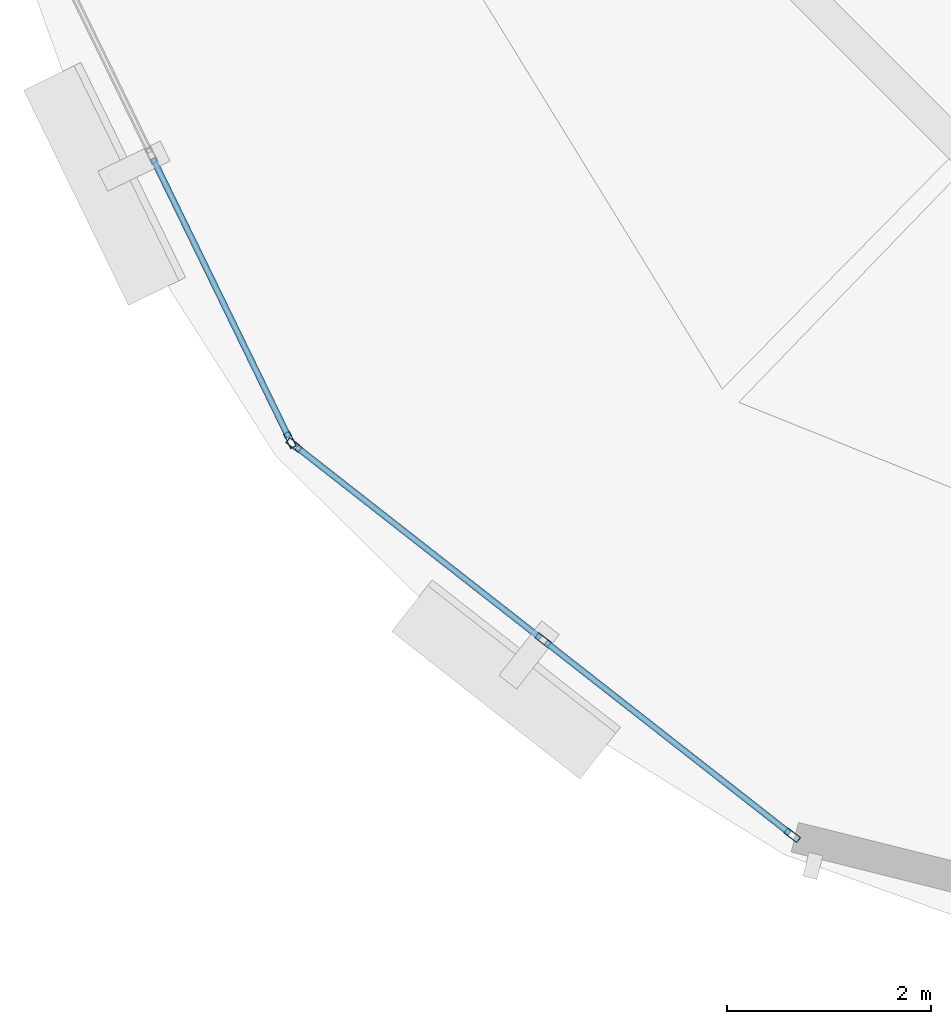
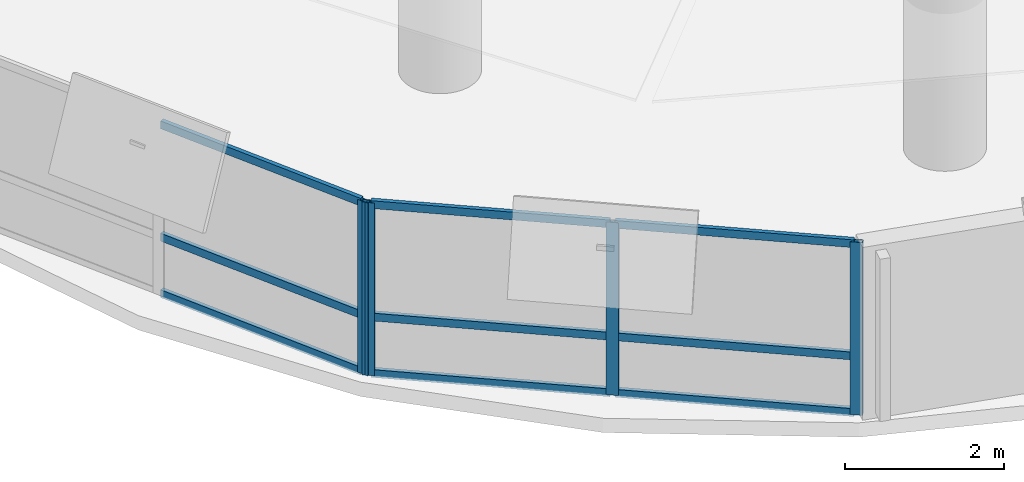
# One storey, part 2 of 12: 13 members, 2 elements without a shape of their own.
"""IFC4 building model written with IfcOpenShell, lengths in metres."""

import ifcopenshell
import ifcopenshell.guid

model = None  # the IFC model being written
_history = None  # IfcOwnerHistory: only IFC2X3 demands one
_inside = {}  # id of a spatial element -> (the spatial element, [elements in it])
_under = {}  # id of a project, library or spatial element -> (it, [spatial elements below it])
_declared = {}  # id of a project -> (the project, [libraries it declares])
_typed = {}  # id of a type object -> (the type object, [elements of that type])
_made_of = {}  # id of a material, layer set ... -> (it, [elements and type objects made of it])


def new_model(schema):
    """Start an empty IFC model of exactly this schema.

    Asked for "IFC4X3", IfcOpenShell would pick the latest addendum, in which some entities
    have other attributes; the version numbers below select the first issue.
    IFC2X3 requires an IfcOwnerHistory on every rooted entity: one is made here for all.
    """
    global model, _history
    if schema == "IFC4X3":
        model = ifcopenshell.file(schema_version=(4, 3, 0, 0))
    else:
        model = ifcopenshell.file(schema=schema)
    _inside.clear()
    _under.clear()
    _declared.clear()
    _typed.clear()
    _made_of.clear()
    _history = None
    if model.schema == "IFC2X3":
        org = make("IfcOrganization", Name="unknown")
        user = make(
            "IfcPersonAndOrganization",
            ThePerson=make("IfcPerson", FamilyName="unknown"),
            TheOrganization=org,
        )
        app = make(
            "IfcApplication",
            ApplicationDeveloper=org,
            Version="unknown",
            ApplicationFullName="unknown",
            ApplicationIdentifier="unknown",
        )
        _history = make(
            "IfcOwnerHistory",
            OwningUser=user,
            OwningApplication=app,
            ChangeAction="ADDED",
            CreationDate=0,
        )
    return model


def make(cls, **values):
    """One entity of the class cls with the attributes given. An attribute that is None is left unset."""
    return model.create_entity(
        cls, **{name: value for name, value in values.items() if value is not None}
    )


def rooted(cls, **values):
    """An entity with a GlobalId (a new one), such as an element, a storey or a relation."""
    return make(cls, GlobalId=ifcopenshell.guid.new(), OwnerHistory=_history, **values)


def si_unit(unit_type, name, prefix=None):
    """IfcSIUnit, for example si_unit("LENGTHUNIT", "METRE", prefix="MILLI")."""
    return make("IfcSIUnit", UnitType=unit_type, Prefix=prefix, Name=name)


def assignment(units):
    """IfcUnitAssignment: the units of a project."""
    return None if units is None else make("IfcUnitAssignment", Units=units)


def point(xyz):
    """IfcCartesianPoint."""
    return None if xyz is None else make("IfcCartesianPoint", Coordinates=xyz)


def direction(xyz):
    """IfcDirection."""
    return None if xyz is None else make("IfcDirection", DirectionRatios=xyz)


def frame(location, z_axis=None, x_axis=None):
    """IfcAxis2Placement3D, a coordinate frame: its origin and axes. An axis left out is left unset."""
    return make(
        "IfcAxis2Placement3D",
        Location=point(location),
        Axis=direction(z_axis),
        RefDirection=direction(x_axis),
    )


def frame_2d(location, x_axis=None):
    """IfcAxis2Placement2D, a coordinate frame in the plane: its origin and x axis."""
    return make(
        "IfcAxis2Placement2D", Location=point(location), RefDirection=direction(x_axis)
    )


def origin():
    """The frame at (0, 0, 0) with its axes left unset."""
    return frame((0.0, 0.0, 0.0))


def origin_2d():
    """The frame at (0, 0) in the plane with its x axis left unset."""
    return frame_2d((0.0, 0.0))


def place(relative_to, where):
    """IfcLocalPlacement: puts the frame where relative to a parent placement (None: the world)."""
    return make(
        "IfcLocalPlacement", PlacementRelTo=relative_to, RelativePlacement=where
    )


def context(
    kind, dimensions, precision=None, world=None, true_north=None, identifier=None
):
    """IfcGeometricRepresentationContext, for example the 3D "Model" context."""
    return make(
        "IfcGeometricRepresentationContext",
        ContextIdentifier=identifier,
        ContextType=kind,
        CoordinateSpaceDimension=dimensions,
        Precision=precision,
        WorldCoordinateSystem=world,
        TrueNorth=true_north,
    )


def subcontext(parent, identifier, kind, view, scale=None):
    """IfcGeometricRepresentationSubContext, for example "Body" below "Model"."""
    return make(
        "IfcGeometricRepresentationSubContext",
        ContextIdentifier=identifier,
        ContextType=kind,
        ParentContext=parent,
        TargetScale=scale,
        TargetView=view,
    )


def project(units=None, contexts=None):
    """IfcProject with its units and contexts."""
    return rooted(
        "IfcProject",
        Name="project",
        RepresentationContexts=contexts,
        UnitsInContext=assignment(units),
    )


def spatial(cls, under=None, at=None, **own):
    """A site, building, storey or space (cls), placed at a placement, below another one or the project."""
    s = rooted(cls, ObjectPlacement=at, **own)
    if under is not None:
        _under.setdefault(under.id(), (under, []))[1].append(s)
    return s


def profile(cls, at=None, kind="AREA", **sizes):
    """A parametric profile (cls). Its sizes go by their IFC names, for example OverallWidth=200.0."""
    return make(cls, ProfileType=kind, Position=at, **sizes)


def hollow_rectangle(**sizes):
    """IfcRectangleHollowProfileDef."""
    return profile("IfcRectangleHollowProfileDef", **sizes)


def extrude(swept, where, along, depth):
    """IfcExtrudedAreaSolid: the profile swept, set in the frame where, extruded along a direction by depth."""
    return make(
        "IfcExtrudedAreaSolid",
        SweptArea=swept,
        Position=where,
        ExtrudedDirection=direction(along),
        Depth=depth,
    )


def shape(context_of_items, identifier, shape_type, items):
    """IfcShapeRepresentation: the items that make up one representation, for example the "Body"."""
    return make(
        "IfcShapeRepresentation",
        ContextOfItems=context_of_items,
        RepresentationIdentifier=identifier,
        RepresentationType=shape_type,
        Items=items,
    )


def material(Name=None, Category=None):
    """IfcMaterial."""
    return make("IfcMaterial", Name=Name, Category=Category)


def layer(
    of_material, thickness, ventilated=None, Name=None, Category=None, Priority=None
):
    """IfcMaterialLayer: one layer of a wall or slab, of a material (None: an air gap)."""
    return make(
        "IfcMaterialLayer",
        Material=of_material,
        LayerThickness=thickness,
        IsVentilated=ventilated,
        Name=Name,
        Category=Category,
        Priority=Priority,
    )


def layer_set(layers, Name=None):
    """IfcMaterialLayerSet."""
    return make("IfcMaterialLayerSet", MaterialLayers=layers, LayerSetName=Name)


def material_profile(
    of_material, cross_section, Name=None, Category=None, Priority=None
):
    """IfcMaterialProfile: a cross section and its material."""
    return make(
        "IfcMaterialProfile",
        Name=Name,
        Material=of_material,
        Profile=cross_section,
        Priority=Priority,
        Category=Category,
    )


def profile_set(profiles, Name=None, composite=None):
    """IfcMaterialProfileSet."""
    return make(
        "IfcMaterialProfileSet",
        Name=Name,
        MaterialProfiles=profiles,
        CompositeProfile=composite,
    )


def made_of(thing, what):
    """Note that an element or type object is made of a material, layer set ...; save() writes the relation."""
    if what is not None:
        _made_of.setdefault(what.id(), (what, []))[1].append(thing)
    return thing


def type_object(cls, material=None, **own):
    """A type object (cls), such as IfcWallType, which elements share."""
    return made_of(rooted(cls, **own), material)


def element(
    cls,
    number,
    at=None,
    inside=None,
    cuts=None,
    type_object=None,
    material=None,
    context=None,
    identifier="Body",
    shape_type=None,
    held_by="IfcProductDefinitionShape",
    body=None,
    shapes=None,
    **own,
):
    """One element of the class cls, such as IfcWall. Its Tag is "e" and its number.

    at: its placement. inside: the storey or other place that contains it. cuts: it is an
    opening in that element (IfcRelVoidsElement). A single representation is given by context,
    identifier, shape_type and body (its items); several are given by shapes. held_by: the class
    of the entity that holds the representations. save() writes the other relations.
    """
    e = rooted(cls, Tag="e%d" % number, ObjectPlacement=at, **own)
    if body is not None:
        shapes = [shape(context, identifier, shape_type, body)]
    if shapes is not None:
        e.Representation = make(held_by, Representations=shapes)
    if inside is not None:
        _inside.setdefault(inside.id(), (inside, []))[1].append(e)
    if cuts is not None:
        rooted(
            "IfcRelVoidsElement", RelatingBuildingElement=cuts, RelatedOpeningElement=e
        )
    if type_object is not None:
        _typed.setdefault(type_object.id(), (type_object, []))[1].append(e)
    return made_of(e, material)


def aggregate(whole, parts):
    """IfcRelAggregates: a whole, such as a stair, and the parts it consists of."""
    return rooted("IfcRelAggregates", RelatingObject=whole, RelatedObjects=parts)


def save(model, path):
    """Write the relations noted so far, then the file.

    IfcRelAggregates (storeys below a building ...), IfcRelContainedInSpatialStructure (elements
    in a storey), IfcRelDefinesByType, IfcRelAssociatesMaterial and IfcRelDeclares: one each for
    every whole, place, type object, material and project.
    """
    for whole, parts in _under.values():
        aggregate(whole, parts)
    for where, things in _inside.values():
        rooted(
            "IfcRelContainedInSpatialStructure",
            RelatedElements=things,
            RelatingStructure=where,
        )
    for kind, things in _typed.values():
        rooted("IfcRelDefinesByType", RelatedObjects=things, RelatingType=kind)
    for what, things in _made_of.values():
        rooted("IfcRelAssociatesMaterial", RelatedObjects=things, RelatingMaterial=what)
    for by, libraries in _declared.values():
        rooted("IfcRelDeclares", RelatingContext=by, RelatedDefinitions=libraries)
    model.write(path)


model = new_model("IFC4")

# Units and contexts
model_context = context("Model", 3, precision=1e-05, world=origin(), true_north=direction((0.0, 1.0)))
body_context = subcontext(model_context, "Body", "Model", "MODEL_VIEW")
ifc_project = project(units=[si_unit("LENGTHUNIT", "METRE"), si_unit("AREAUNIT", "SQUARE_METRE"), si_unit("VOLUMEUNIT", "CUBIC_METRE"), si_unit("PLANEANGLEUNIT", "RADIAN"), si_unit("MASSUNIT", "GRAM", prefix="KILO"), si_unit("THERMODYNAMICTEMPERATUREUNIT", "KELVIN"), si_unit("POWERUNIT", "WATT")], contexts=[model_context])

# Site, building, storey
site_placement = place(None, origin())
site = spatial("IfcSite", under=ifc_project, at=site_placement, CompositionType="ELEMENT")
building_placement = place(site_placement, origin())
building = spatial("IfcBuilding", under=site, at=building_placement, Name="Ocrelia Relay Tower", CompositionType="ELEMENT")
storey_placement = place(building_placement, frame((0.0, 0.0, 195.199951171875)))
storey = spatial("IfcBuildingStorey", under=building, at=storey_placement, Name="L47", CompositionType="ELEMENT", Elevation=195.199951171875)

# Curtain wall, member
ifc_material_1 = material(Name="Aluminium and solar-control low-E glass", Category="aluminium")
ifc_layer = layer(ifc_material_1, 0.179931640625, Name="Aluminium and solar-control low-E glass")
ifc_layer_set = layer_set([ifc_layer], Name="Aluminium and solar-control low-E glass")
curtain_wall_type = type_object("IfcCurtainWallType", Name="CW-SYS-Z3-CLOU", PredefinedType="NOTDEFINED", material=ifc_layer_set)
curtain_wall_1_placement = place(storey_placement, origin())
curtain_wall_1 = element("IfcCurtainWall", 1, at=curtain_wall_1_placement, inside=storey, type_object=curtain_wall_type, Name="L47 Elliptical Tower Curtain Wall Bay 09", PredefinedType="NOTDEFINED")
ifc_material_2 = material(Name="Anodised bronze aluminium", Category="aluminium")
ifc_material_profile_1 = material_profile(ifc_material_2, hollow_rectangle(XDim=0.06494140625, YDim=0.159912109375, WallThickness=0.0048828125, at=origin_2d()), Name="CW-MUL-160x65")
ifc_profile_set_1 = profile_set([ifc_material_profile_1], Name="Anodised bronze aluminium")
member_type_1 = type_object("IfcMemberType", Name="CW-SYS-Z3-CLOU-MUL", PredefinedType="MULLION", material=ifc_profile_set_1)
member_1_placement = place(storey_placement, frame((15.78759765625, 11.319091796875, 0.0), z_axis=(0.0, 0.0, 1.0), x_axis=(0.89902971637, 0.437887621524, 0.0)))
member_1 = element("IfcMember", 2, at=member_1_placement, type_object=member_type_1, Name="CW-Z3 mullion 3", PredefinedType="MULLION", context=body_context, shape_type="SweptSolid", body=[
    extrude(hollow_rectangle(XDim=0.06494140625, YDim=0.159912109375, WallThickness=0.0048828125, at=origin_2d()), origin(), (0.0, 0.0, 1.0), 2.66015625),
])

# Curtain wall, members
curtain_wall_2_placement = place(storey_placement, origin())
curtain_wall_2 = element("IfcCurtainWall", 3, at=curtain_wall_2_placement, inside=storey, type_object=curtain_wall_type, Name="L47 Elliptical Tower Curtain Wall Bay 10", PredefinedType="NOTDEFINED")
member_2_placement = place(storey_placement, frame((15.827392578125, 11.269775390625, 0.0), z_axis=(0.0, 0.0, 1.0), x_axis=(0.616620217281, 0.787260762162, 0.0)))
member_2 = element("IfcMember", 4, at=member_2_placement, type_object=member_type_1, Name="CW-Z3 mullion 1", PredefinedType="MULLION", context=body_context, shape_type="SweptSolid", body=[
    extrude(hollow_rectangle(XDim=0.06494140625, YDim=0.159912109375, WallThickness=0.0048828125, at=origin_2d()), origin(), (0.0, 0.0, 1.0), 2.66015625),
])
member_3_placement = place(storey_placement, frame((18.27490234375, 9.352783203125, 0.0), z_axis=(0.0, 0.0, 1.0), x_axis=(0.616620217281, 0.787260762162, 0.0)))
member_3 = element("IfcMember", 5, at=member_3_placement, type_object=member_type_1, Name="CW-Z3 mullion 2", PredefinedType="MULLION", context=body_context, shape_type="SweptSolid", body=[
    extrude(hollow_rectangle(XDim=0.06494140625, YDim=0.159912109375, WallThickness=0.0048828125, at=origin_2d()), origin(), (0.0, 0.0, 1.0), 2.66015625),
])
member_4_placement = place(storey_placement, frame((20.722412109375, 7.435791015625, 0.0), z_axis=(0.0, 0.0, 1.0), x_axis=(0.616620217281, 0.787260762162, 0.0)))
member_4 = element("IfcMember", 6, at=member_4_placement, type_object=member_type_1, Name="CW-Z3 mullion 3", PredefinedType="MULLION", context=body_context, shape_type="SweptSolid", body=[
    extrude(hollow_rectangle(XDim=0.06494140625, YDim=0.159912109375, WallThickness=0.0048828125, at=origin_2d()), origin(), (0.0, 0.0, 1.0), 2.66015625),
])

# Member
ifc_material_profile_2 = material_profile(ifc_material_2, hollow_rectangle(XDim=0.06005859375, YDim=0.1201171875, WallThickness=0.0048828125, at=origin_2d()), Name="CW-TRN-120x60")
ifc_profile_set_2 = profile_set([ifc_material_profile_2], Name="Anodised bronze aluminium")
member_type_2 = type_object("IfcMemberType", Name="CW-SYS-Z3-CLOU-TRN", PredefinedType="USERDEFINED", material=ifc_profile_set_2)
member_5_placement = place(storey_placement, frame((14.440673828125, 14.084716796875, 0.030029296875), z_axis=(0.437853071769, -0.899046543591, 0.0), x_axis=(0.899046543591, 0.437853071769, 0.0)))
member_5 = element("IfcMember", 7, at=member_5_placement, type_object=member_type_2, Name="CW-Z3 transom 2.1", ObjectType="TRANSOM", PredefinedType="USERDEFINED", context=body_context, shape_type="SweptSolid", body=[
    extrude(hollow_rectangle(XDim=0.06005859375, YDim=0.1201171875, WallThickness=0.0048828125, at=origin_2d()), origin(), (0.0, 0.0, 1.0), 3.0439453125),
])

member_6_placement = place(storey_placement, frame((14.440673828125, 14.084716796875, 0.900146484375), z_axis=(0.437853071769, -0.899046543591, 0.0), x_axis=(0.899046543591, 0.437853071769, 0.0)))
member_6 = element("IfcMember", 8, at=member_6_placement, type_object=member_type_2, Name="CW-Z3 transom 2.2", ObjectType="TRANSOM", PredefinedType="USERDEFINED", context=body_context, shape_type="SweptSolid", body=[
    extrude(hollow_rectangle(XDim=0.06005859375, YDim=0.1201171875, WallThickness=0.0048828125, at=origin_2d()), origin(), (0.0, 0.0, 1.0), 3.0439453125),
])

member_7_placement = place(storey_placement, frame((14.440673828125, 14.084716796875, 2.630126953125), z_axis=(0.437853071769, -0.899046543591, 0.0), x_axis=(0.899046543591, 0.437853071769, 0.0)))
member_7 = element("IfcMember", 9, at=member_7_placement, type_object=member_type_2, Name="CW-Z3 transom 2.3", ObjectType="TRANSOM", PredefinedType="USERDEFINED", context=body_context, shape_type="SweptSolid", body=[
    extrude(hollow_rectangle(XDim=0.06005859375, YDim=0.1201171875, WallThickness=0.0048828125, at=origin_2d()), origin(), (0.0, 0.0, 1.0), 3.0439453125),
])

aggregate(curtain_wall_1, [member_1, member_5, member_6, member_7])

member_8_placement = place(storey_placement, frame((15.85302734375, 11.249755859375, 0.030029296875), z_axis=(0.787274773198, -0.616602328479, 0.0), x_axis=(0.616602328479, 0.787274773198, 0.0)))
member_8 = element("IfcMember", 10, at=member_8_placement, type_object=member_type_2, Name="CW-Z3 transom 1.1", ObjectType="TRANSOM", PredefinedType="USERDEFINED", context=body_context, shape_type="SweptSolid", body=[
    extrude(hollow_rectangle(XDim=0.06005859375, YDim=0.1201171875, WallThickness=0.0048828125, at=origin_2d()), origin(), (0.0, 0.0, 1.0), 3.0439453125),
])

member_9_placement = place(storey_placement, frame((15.85302734375, 11.249755859375, 0.900146484375), z_axis=(0.787274773198, -0.616602328479, 0.0), x_axis=(0.616602328479, 0.787274773198, 0.0)))
member_9 = element("IfcMember", 11, at=member_9_placement, type_object=member_type_2, Name="CW-Z3 transom 1.2", ObjectType="TRANSOM", PredefinedType="USERDEFINED", context=body_context, shape_type="SweptSolid", body=[
    extrude(hollow_rectangle(XDim=0.06005859375, YDim=0.1201171875, WallThickness=0.0048828125, at=origin_2d()), origin(), (0.0, 0.0, 1.0), 3.0439453125),
])

member_10_placement = place(storey_placement, frame((15.85302734375, 11.249755859375, 2.630126953125), z_axis=(0.787274773198, -0.616602328479, 0.0), x_axis=(0.616602328479, 0.787274773198, 0.0)))
member_10 = element("IfcMember", 12, at=member_10_placement, type_object=member_type_2, Name="CW-Z3 transom 1.3", ObjectType="TRANSOM", PredefinedType="USERDEFINED", context=body_context, shape_type="SweptSolid", body=[
    extrude(hollow_rectangle(XDim=0.06005859375, YDim=0.1201171875, WallThickness=0.0048828125, at=origin_2d()), origin(), (0.0, 0.0, 1.0), 3.0439453125),
])

member_11_placement = place(storey_placement, frame((18.300537109375, 9.332763671875, 0.030029296875), z_axis=(0.787274773198, -0.616602328479, 0.0), x_axis=(0.616602328479, 0.787274773198, 0.0)))
member_11 = element("IfcMember", 13, at=member_11_placement, type_object=member_type_2, Name="CW-Z3 transom 2.1", ObjectType="TRANSOM", PredefinedType="USERDEFINED", context=body_context, shape_type="SweptSolid", body=[
    extrude(hollow_rectangle(XDim=0.06005859375, YDim=0.1201171875, WallThickness=0.0048828125, at=origin_2d()), origin(), (0.0, 0.0, 1.0), 3.0439453125),
])

member_12_placement = place(storey_placement, frame((18.300537109375, 9.332763671875, 0.900146484375), z_axis=(0.787274773198, -0.616602328479, 0.0), x_axis=(0.616602328479, 0.787274773198, 0.0)))
member_12 = element("IfcMember", 14, at=member_12_placement, type_object=member_type_2, Name="CW-Z3 transom 2.2", ObjectType="TRANSOM", PredefinedType="USERDEFINED", context=body_context, shape_type="SweptSolid", body=[
    extrude(hollow_rectangle(XDim=0.06005859375, YDim=0.1201171875, WallThickness=0.0048828125, at=origin_2d()), origin(), (0.0, 0.0, 1.0), 3.0439453125),
])

member_13_placement = place(storey_placement, frame((18.300537109375, 9.332763671875, 2.630126953125), z_axis=(0.787274773198, -0.616602328479, 0.0), x_axis=(0.616602328479, 0.787274773198, 0.0)))
member_13 = element("IfcMember", 15, at=member_13_placement, type_object=member_type_2, Name="CW-Z3 transom 2.3", ObjectType="TRANSOM", PredefinedType="USERDEFINED", context=body_context, shape_type="SweptSolid", body=[
    extrude(hollow_rectangle(XDim=0.06005859375, YDim=0.1201171875, WallThickness=0.0048828125, at=origin_2d()), origin(), (0.0, 0.0, 1.0), 3.0439453125),
])

aggregate(curtain_wall_2, [member_2, member_3, member_4, member_8, member_9, member_10, member_11, member_12, member_13])

save(model, "model.ifc")
